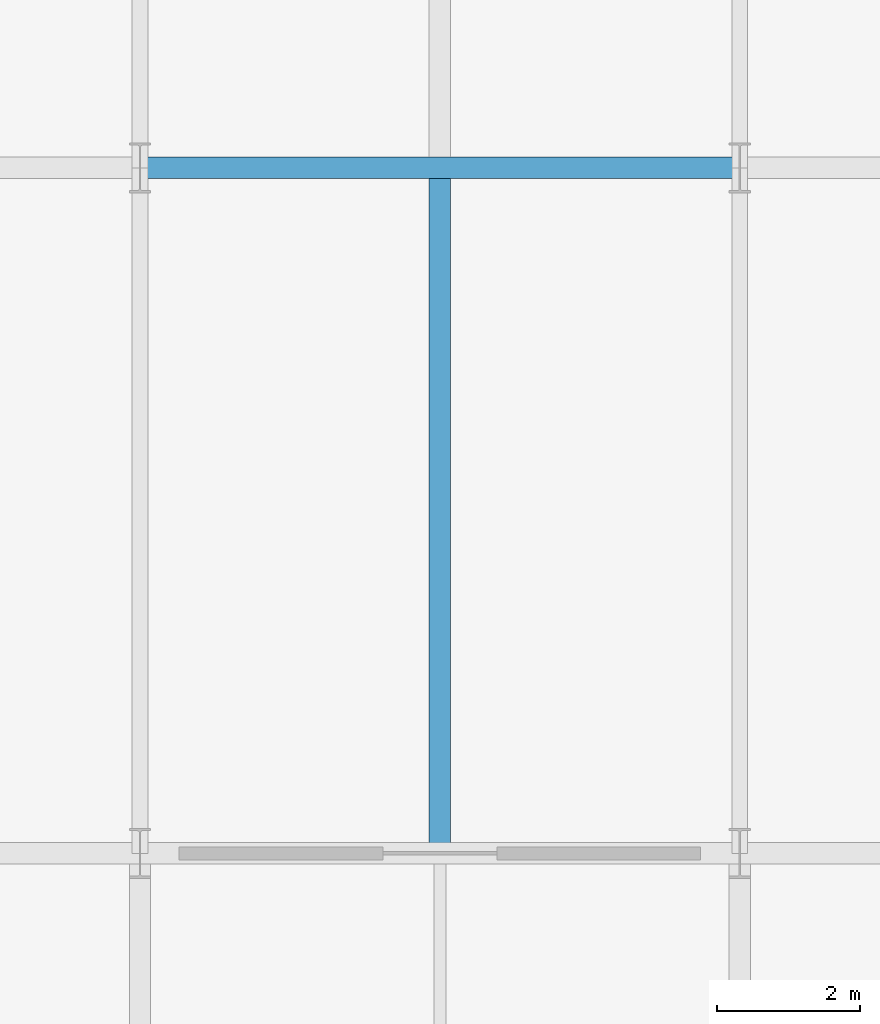
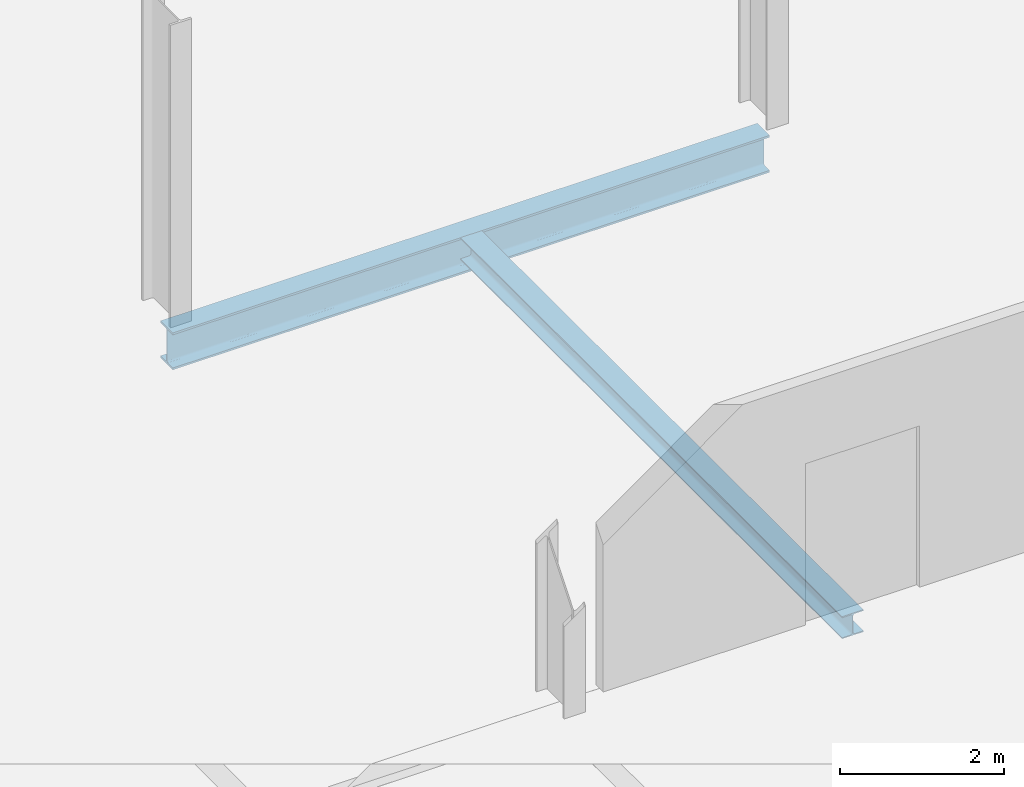
# One storey, part 53 of 113: 2 beams.
"""IFC4 building model written with IfcOpenShell, lengths in metres."""

from ifc_helpers import new_model, si_unit, direction, frame, origin, origin_2d, place, context, subcontext, project, spatial, i_section, extrude, material, material_profile, profile_set, type_object, element, save


model = new_model("IFC4")

# Units and contexts
model_context = context("Model", 3, precision=1e-05, world=origin(), true_north=direction((0.0, 1.0)))
body_context = subcontext(model_context, "Body", "Model", "MODEL_VIEW")
ifc_project = project(units=[si_unit("LENGTHUNIT", "METRE"), si_unit("AREAUNIT", "SQUARE_METRE"), si_unit("VOLUMEUNIT", "CUBIC_METRE"), si_unit("PLANEANGLEUNIT", "RADIAN"), si_unit("MASSUNIT", "GRAM", prefix="KILO")], contexts=[model_context])

# Site, building, storey
site_placement = place(None, origin())
site = spatial("IfcSite", under=ifc_project, at=site_placement, CompositionType="ELEMENT")
building_placement = place(site_placement, origin())
building = spatial("IfcBuilding", under=site, at=building_placement, Name="Veltarok Museum of Natural Sciences", CompositionType="ELEMENT")
storey_placement = place(building_placement, frame((0.0, 0.0, 8.39990234375)))
storey = spatial("IfcBuildingStorey", under=building, at=storey_placement, Name="L01", CompositionType="ELEMENT", Elevation=8.39990234375)

# Beams
ifc_material = material(Name="Steel S355J2", Category="steel")
ifc_material_profile_1 = material_profile(ifc_material, i_section(OverallWidth=0.300048828125, OverallDepth=0.330078125, WebThickness=0.009521484375, FlangeThickness=0.0166015625, FilletRadius=0.027099609375, at=origin_2d()), Name="HEA 340")
ifc_profile_set_1 = profile_set([ifc_material_profile_1], Name="Steel S355J2")
beam_type_1 = type_object("IfcBeamType", Name="Exhibition Floor Joist HEA 340", PredefinedType="JOIST", material=ifc_profile_set_1)
beam_1_placement = place(storey_placement, frame((69.39990234375, 72.14794921875, -0.414794921875), z_axis=(0.0, 1.0, 0.0), x_axis=(-1.0, 0.0, 0.0)))
element("IfcBeam", 1, at=beam_1_placement, inside=storey, type_object=beam_type_1, Name="Secondary Joist BM-J08 L01 8-9/H-J.1", PredefinedType="JOIST", context=body_context, shape_type="SweptSolid", body=[
    extrude(i_section(OverallWidth=0.300048828125, OverallDepth=0.330078125, WebThickness=0.009521484375, FlangeThickness=0.0166015625, FilletRadius=0.027099609375, at=origin_2d()), origin(), (0.0, 0.0, 1.0), 9.303955078125),
])
ifc_material_profile_2 = material_profile(ifc_material, i_section(OverallWidth=0.300048828125, OverallDepth=0.550048828125, WebThickness=0.014892578125, FlangeThickness=0.029052734375, FilletRadius=0.027099609375, at=origin_2d()), Name="HEB 550")
ifc_profile_set_2 = profile_set([ifc_material_profile_2], Name="Steel S355J2")
beam_type_2 = type_object("IfcBeamType", Name="Gallery Girder HEB 550", PredefinedType="BEAM", material=ifc_profile_set_2)
beam_2_placement = place(storey_placement, frame((65.199951171875, 81.60009765625, -0.52490234375), z_axis=(1.0, 0.0, 0.0), x_axis=(0.0, 1.0, 0.0)))
element("IfcBeam", 2, at=beam_2_placement, inside=storey, type_object=beam_type_2, Name="Beam BM-G10 L01 8-9/J", PredefinedType="BEAM", context=body_context, shape_type="SweptSolid", body=[
    extrude(i_section(OverallWidth=0.300048828125, OverallDepth=0.550048828125, WebThickness=0.014892578125, FlangeThickness=0.029052734375, FilletRadius=0.027099609375, at=origin_2d()), origin(), (0.0, 0.0, 1.0), 8.400146484375),
])

save(model, "model.ifc")
